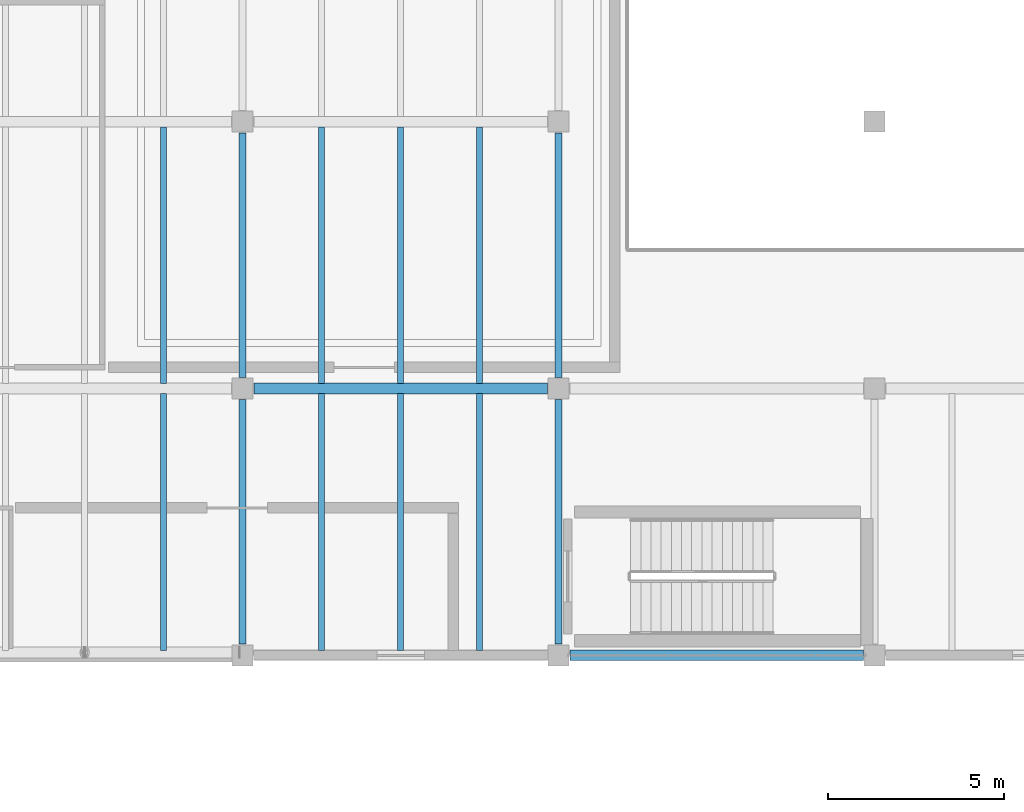
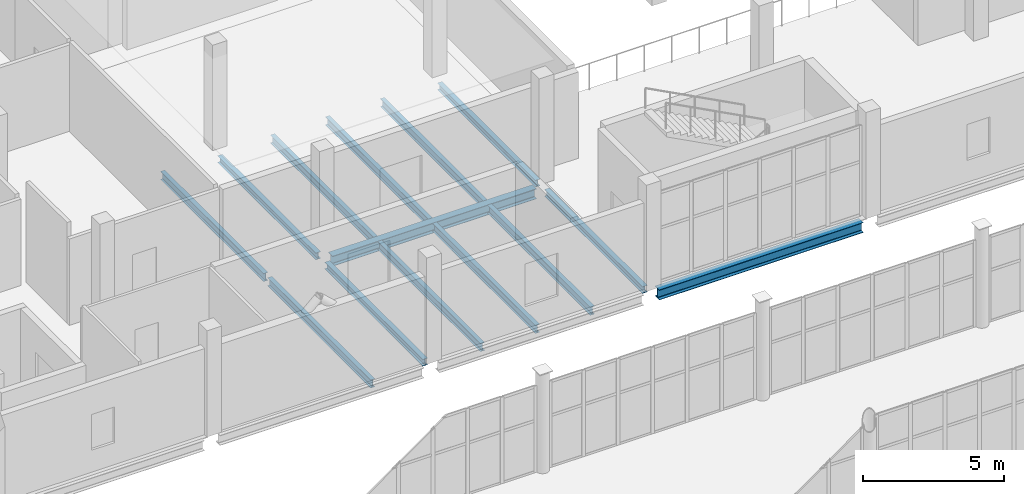
# One storey, part 90 of 136: 14 beams.
"""IFC4 building model written with IfcOpenShell, lengths in metres."""

import ifcopenshell
import ifcopenshell.guid

model = None  # the IFC model being written
_history = None  # IfcOwnerHistory: only IFC2X3 demands one
_inside = {}  # id of a spatial element -> (the spatial element, [elements in it])
_under = {}  # id of a project, library or spatial element -> (it, [spatial elements below it])
_declared = {}  # id of a project -> (the project, [libraries it declares])
_typed = {}  # id of a type object -> (the type object, [elements of that type])
_made_of = {}  # id of a material, layer set ... -> (it, [elements and type objects made of it])


def new_model(schema):
    """Start an empty IFC model of exactly this schema.

    Asked for "IFC4X3", IfcOpenShell would pick the latest addendum, in which some entities
    have other attributes; the version numbers below select the first issue.
    IFC2X3 requires an IfcOwnerHistory on every rooted entity: one is made here for all.
    """
    global model, _history
    if schema == "IFC4X3":
        model = ifcopenshell.file(schema_version=(4, 3, 0, 0))
    else:
        model = ifcopenshell.file(schema=schema)
    _inside.clear()
    _under.clear()
    _declared.clear()
    _typed.clear()
    _made_of.clear()
    _history = None
    if model.schema == "IFC2X3":
        org = make("IfcOrganization", Name="unknown")
        user = make(
            "IfcPersonAndOrganization",
            ThePerson=make("IfcPerson", FamilyName="unknown"),
            TheOrganization=org,
        )
        app = make(
            "IfcApplication",
            ApplicationDeveloper=org,
            Version="unknown",
            ApplicationFullName="unknown",
            ApplicationIdentifier="unknown",
        )
        _history = make(
            "IfcOwnerHistory",
            OwningUser=user,
            OwningApplication=app,
            ChangeAction="ADDED",
            CreationDate=0,
        )
    return model


def make(cls, **values):
    """One entity of the class cls with the attributes given. An attribute that is None is left unset."""
    return model.create_entity(
        cls, **{name: value for name, value in values.items() if value is not None}
    )


def rooted(cls, **values):
    """An entity with a GlobalId (a new one), such as an element, a storey or a relation."""
    return make(cls, GlobalId=ifcopenshell.guid.new(), OwnerHistory=_history, **values)


def si_unit(unit_type, name, prefix=None):
    """IfcSIUnit, for example si_unit("LENGTHUNIT", "METRE", prefix="MILLI")."""
    return make("IfcSIUnit", UnitType=unit_type, Prefix=prefix, Name=name)


def assignment(units):
    """IfcUnitAssignment: the units of a project."""
    return None if units is None else make("IfcUnitAssignment", Units=units)


def point(xyz):
    """IfcCartesianPoint."""
    return None if xyz is None else make("IfcCartesianPoint", Coordinates=xyz)


def direction(xyz):
    """IfcDirection."""
    return None if xyz is None else make("IfcDirection", DirectionRatios=xyz)


def frame(location, z_axis=None, x_axis=None):
    """IfcAxis2Placement3D, a coordinate frame: its origin and axes. An axis left out is left unset."""
    return make(
        "IfcAxis2Placement3D",
        Location=point(location),
        Axis=direction(z_axis),
        RefDirection=direction(x_axis),
    )


def frame_2d(location, x_axis=None):
    """IfcAxis2Placement2D, a coordinate frame in the plane: its origin and x axis."""
    return make(
        "IfcAxis2Placement2D", Location=point(location), RefDirection=direction(x_axis)
    )


def origin():
    """The frame at (0, 0, 0) with its axes left unset."""
    return frame((0.0, 0.0, 0.0))


def origin_2d():
    """The frame at (0, 0) in the plane with its x axis left unset."""
    return frame_2d((0.0, 0.0))


def place(relative_to, where):
    """IfcLocalPlacement: puts the frame where relative to a parent placement (None: the world)."""
    return make(
        "IfcLocalPlacement", PlacementRelTo=relative_to, RelativePlacement=where
    )


def context(
    kind, dimensions, precision=None, world=None, true_north=None, identifier=None
):
    """IfcGeometricRepresentationContext, for example the 3D "Model" context."""
    return make(
        "IfcGeometricRepresentationContext",
        ContextIdentifier=identifier,
        ContextType=kind,
        CoordinateSpaceDimension=dimensions,
        Precision=precision,
        WorldCoordinateSystem=world,
        TrueNorth=true_north,
    )


def subcontext(parent, identifier, kind, view, scale=None):
    """IfcGeometricRepresentationSubContext, for example "Body" below "Model"."""
    return make(
        "IfcGeometricRepresentationSubContext",
        ContextIdentifier=identifier,
        ContextType=kind,
        ParentContext=parent,
        TargetScale=scale,
        TargetView=view,
    )


def project(units=None, contexts=None):
    """IfcProject with its units and contexts."""
    return rooted(
        "IfcProject",
        Name="project",
        RepresentationContexts=contexts,
        UnitsInContext=assignment(units),
    )


def spatial(cls, under=None, at=None, **own):
    """A site, building, storey or space (cls), placed at a placement, below another one or the project."""
    s = rooted(cls, ObjectPlacement=at, **own)
    if under is not None:
        _under.setdefault(under.id(), (under, []))[1].append(s)
    return s


def profile(cls, at=None, kind="AREA", **sizes):
    """A parametric profile (cls). Its sizes go by their IFC names, for example OverallWidth=200.0."""
    return make(cls, ProfileType=kind, Position=at, **sizes)


def i_section(**sizes):
    """IfcIShapeProfileDef."""
    return profile("IfcIShapeProfileDef", **sizes)


def extrude(swept, where, along, depth):
    """IfcExtrudedAreaSolid: the profile swept, set in the frame where, extruded along a direction by depth."""
    return make(
        "IfcExtrudedAreaSolid",
        SweptArea=swept,
        Position=where,
        ExtrudedDirection=direction(along),
        Depth=depth,
    )


def shape(context_of_items, identifier, shape_type, items):
    """IfcShapeRepresentation: the items that make up one representation, for example the "Body"."""
    return make(
        "IfcShapeRepresentation",
        ContextOfItems=context_of_items,
        RepresentationIdentifier=identifier,
        RepresentationType=shape_type,
        Items=items,
    )


def material(Name=None, Category=None):
    """IfcMaterial."""
    return make("IfcMaterial", Name=Name, Category=Category)


def material_profile(
    of_material, cross_section, Name=None, Category=None, Priority=None
):
    """IfcMaterialProfile: a cross section and its material."""
    return make(
        "IfcMaterialProfile",
        Name=Name,
        Material=of_material,
        Profile=cross_section,
        Priority=Priority,
        Category=Category,
    )


def profile_set(profiles, Name=None, composite=None):
    """IfcMaterialProfileSet."""
    return make(
        "IfcMaterialProfileSet",
        Name=Name,
        MaterialProfiles=profiles,
        CompositeProfile=composite,
    )


def made_of(thing, what):
    """Note that an element or type object is made of a material, layer set ...; save() writes the relation."""
    if what is not None:
        _made_of.setdefault(what.id(), (what, []))[1].append(thing)
    return thing


def type_object(cls, material=None, **own):
    """A type object (cls), such as IfcWallType, which elements share."""
    return made_of(rooted(cls, **own), material)


def element(
    cls,
    number,
    at=None,
    inside=None,
    cuts=None,
    type_object=None,
    material=None,
    context=None,
    identifier="Body",
    shape_type=None,
    held_by="IfcProductDefinitionShape",
    body=None,
    shapes=None,
    **own,
):
    """One element of the class cls, such as IfcWall. Its Tag is "e" and its number.

    at: its placement. inside: the storey or other place that contains it. cuts: it is an
    opening in that element (IfcRelVoidsElement). A single representation is given by context,
    identifier, shape_type and body (its items); several are given by shapes. held_by: the class
    of the entity that holds the representations. save() writes the other relations.
    """
    e = rooted(cls, Tag="e%d" % number, ObjectPlacement=at, **own)
    if body is not None:
        shapes = [shape(context, identifier, shape_type, body)]
    if shapes is not None:
        e.Representation = make(held_by, Representations=shapes)
    if inside is not None:
        _inside.setdefault(inside.id(), (inside, []))[1].append(e)
    if cuts is not None:
        rooted(
            "IfcRelVoidsElement", RelatingBuildingElement=cuts, RelatedOpeningElement=e
        )
    if type_object is not None:
        _typed.setdefault(type_object.id(), (type_object, []))[1].append(e)
    return made_of(e, material)


def aggregate(whole, parts):
    """IfcRelAggregates: a whole, such as a stair, and the parts it consists of."""
    return rooted("IfcRelAggregates", RelatingObject=whole, RelatedObjects=parts)


def save(model, path):
    """Write the relations noted so far, then the file.

    IfcRelAggregates (storeys below a building ...), IfcRelContainedInSpatialStructure (elements
    in a storey), IfcRelDefinesByType, IfcRelAssociatesMaterial and IfcRelDeclares: one each for
    every whole, place, type object, material and project.
    """
    for whole, parts in _under.values():
        aggregate(whole, parts)
    for where, things in _inside.values():
        rooted(
            "IfcRelContainedInSpatialStructure",
            RelatedElements=things,
            RelatingStructure=where,
        )
    for kind, things in _typed.values():
        rooted("IfcRelDefinesByType", RelatedObjects=things, RelatingType=kind)
    for what, things in _made_of.values():
        rooted("IfcRelAssociatesMaterial", RelatedObjects=things, RelatingMaterial=what)
    for by, libraries in _declared.values():
        rooted("IfcRelDeclares", RelatingContext=by, RelatedDefinitions=libraries)
    model.write(path)


model = new_model("IFC4")

# Units and contexts
model_context = context("Model", 3, precision=1e-05, world=origin(), true_north=direction((0.0, 1.0)))
body_context = subcontext(model_context, "Body", "Model", "MODEL_VIEW")
ifc_project = project(units=[si_unit("LENGTHUNIT", "METRE"), si_unit("AREAUNIT", "SQUARE_METRE"), si_unit("VOLUMEUNIT", "CUBIC_METRE"), si_unit("PLANEANGLEUNIT", "RADIAN"), si_unit("MASSUNIT", "GRAM", prefix="KILO")], contexts=[model_context])

# Site, building, storey
site_placement = place(None, origin())
site = spatial("IfcSite", under=ifc_project, at=site_placement, CompositionType="ELEMENT")
building_placement = place(site_placement, origin())
building = spatial("IfcBuilding", under=site, at=building_placement, Name="Shengluoqiao Park Theatre", CompositionType="ELEMENT")
storey_placement = place(building_placement, frame((0.0, 0.0, 10.0)))
storey = spatial("IfcBuildingStorey", under=building, at=storey_placement, Name="L02", CompositionType="ELEMENT", Elevation=10.0)

# Beams
ifc_material = material(Name="Steel Q355", Category="steel")
ifc_material_profile_1 = material_profile(ifc_material, i_section(OverallWidth=0.199951171875, OverallDepth=0.2939453125, WebThickness=0.008056640625, FlangeThickness=0.011962890625, FilletRadius=0.01611328125, at=origin_2d()), Name="HM 294x200x8x12")
ifc_profile_set_1 = profile_set([ifc_material_profile_1], Name="Steel Q355")
beam_type_1 = type_object("IfcBeamType", Name="STR-BM-G-HM294", PredefinedType="BEAM", material=ifc_profile_set_1)
beam_1_placement = place(storey_placement, frame((130.39990234375, 84.319091796875, -0.386962890625), z_axis=(0.0, 1.0, 0.0), x_axis=(-1.0, 0.0, 0.0)))
element("IfcBeam", 1, at=beam_1_placement, inside=storey, type_object=beam_type_1, Name="L02 Transverse Girder 01072", PredefinedType="BEAM", context=body_context, shape_type="SweptSolid", body=[
    extrude(i_section(OverallWidth=0.199951171875, OverallDepth=0.2939453125, WebThickness=0.008056640625, FlangeThickness=0.011962890625, FilletRadius=0.01611328125, at=origin_2d()), origin(), (0.0, 0.0, 1.0), 6.9619140625),
])
beam_2_placement = place(storey_placement, frame((130.39990234375, 91.9189453125, -0.386962890625), z_axis=(0.0, 1.0, 0.0), x_axis=(-1.0, 0.0, 0.0)))
element("IfcBeam", 2, at=beam_2_placement, inside=storey, type_object=beam_type_1, Name="L02 Transverse Girder 01073", PredefinedType="BEAM", context=body_context, shape_type="SweptSolid", body=[
    extrude(i_section(OverallWidth=0.199951171875, OverallDepth=0.2939453125, WebThickness=0.008056640625, FlangeThickness=0.011962890625, FilletRadius=0.01611328125, at=origin_2d()), origin(), (0.0, 0.0, 1.0), 6.962158203125),
])
beam_3_placement = place(storey_placement, frame((139.39990234375, 84.319091796875, -0.386962890625), z_axis=(0.0, 1.0, 0.0), x_axis=(-1.0, 0.0, 0.0)))
element("IfcBeam", 3, at=beam_3_placement, inside=storey, type_object=beam_type_1, Name="L02 Transverse Girder 01076", PredefinedType="BEAM", context=body_context, shape_type="SweptSolid", body=[
    extrude(i_section(OverallWidth=0.199951171875, OverallDepth=0.2939453125, WebThickness=0.008056640625, FlangeThickness=0.011962890625, FilletRadius=0.01611328125, at=origin_2d()), origin(), (0.0, 0.0, 1.0), 6.9619140625),
])
beam_4_placement = place(storey_placement, frame((139.39990234375, 91.9189453125, -0.386962890625), z_axis=(0.0, 1.0, 0.0), x_axis=(-1.0, 0.0, 0.0)))
element("IfcBeam", 4, at=beam_4_placement, inside=storey, type_object=beam_type_1, Name="L02 Transverse Girder 01077", PredefinedType="BEAM", context=body_context, shape_type="SweptSolid", body=[
    extrude(i_section(OverallWidth=0.199951171875, OverallDepth=0.2939453125, WebThickness=0.008056640625, FlangeThickness=0.011962890625, FilletRadius=0.01611328125, at=origin_2d()), origin(), (0.0, 0.0, 1.0), 6.962158203125),
])
ifc_material_profile_2 = material_profile(ifc_material, i_section(OverallWidth=0.300048828125, OverallDepth=0.43994140625, WebThickness=0.010986328125, FlangeThickness=0.01806640625, FilletRadius=0.02001953125, at=origin_2d()), Name="HM 440x300x11x18")
ifc_profile_set_2 = profile_set([ifc_material_profile_2], Name="Steel Q355")
beam_type_2 = type_object("IfcBeamType", Name="STR-BM-G-HM440", PredefinedType="BEAM", material=ifc_profile_set_2)
for number, where, z_axis, x_axis, name in (
    (5, (130.718994140625, 91.60009765625, -0.4599609375), (1.0, 0.0, 0.0), (0.0, 1.0, 0.0), "L02 Primary Girder 01058"),
    (6, (139.718994140625, 84.0, -0.4599609375), (1.0, 0.0, 0.0), (0.0, 1.0, 0.0), "L02 Primary Girder 01110"),
):
    element("IfcBeam", number, at=place(storey_placement, frame(where, z_axis=z_axis, x_axis=x_axis)), inside=storey, type_object=beam_type_2, Name=name, PredefinedType="BEAM", context=body_context, shape_type="SweptSolid", body=[
        extrude(i_section(OverallWidth=0.300048828125, OverallDepth=0.43994140625, WebThickness=0.010986328125, FlangeThickness=0.01806640625, FilletRadius=0.02001953125, at=origin_2d()), origin(), (0.0, 0.0, 1.0), 8.362060546875),
    ])
ifc_material_profile_3 = material_profile(ifc_material, i_section(OverallWidth=0.175048828125, OverallDepth=0.35009765625, WebThickness=0.007080078125, FlangeThickness=0.010986328125, FilletRadius=0.013916015625, at=origin_2d()), Name="HN 350x175x7x11")
ifc_profile_set_3 = profile_set([ifc_material_profile_3], Name="Steel Q355")
beam_type_3 = type_object("IfcBeamType", Name="STR-BM-J-HN350", PredefinedType="JOIST", material=ifc_profile_set_3)
beam_5_placement = place(storey_placement, frame((128.14990234375, 84.14501953125, -0.4150390625), z_axis=(0.0, 1.0, 0.0), x_axis=(-1.0, 0.0, 0.0)))
element("IfcBeam", 7, at=beam_5_placement, inside=storey, type_object=beam_type_3, Name="L02 Composite Joist 01092", PredefinedType="JOIST", context=body_context, shape_type="SweptSolid", body=[
    extrude(i_section(OverallWidth=0.175048828125, OverallDepth=0.35009765625, WebThickness=0.007080078125, FlangeThickness=0.010986328125, FilletRadius=0.013916015625, at=origin_2d()), origin(), (0.0, 0.0, 1.0), 7.31005859375),
])
beam_6_placement = place(storey_placement, frame((128.14990234375, 91.7451171875, -0.4150390625), z_axis=(0.0, 1.0, 0.0), x_axis=(-1.0, 0.0, 0.0)))
element("IfcBeam", 8, at=beam_6_placement, inside=storey, type_object=beam_type_3, Name="L02 Composite Joist 01095", PredefinedType="JOIST", context=body_context, shape_type="SweptSolid", body=[
    extrude(i_section(OverallWidth=0.175048828125, OverallDepth=0.35009765625, WebThickness=0.007080078125, FlangeThickness=0.010986328125, FilletRadius=0.013916015625, at=origin_2d()), origin(), (0.0, 0.0, 1.0), 7.309814453125),
])
for number, where, z_axis, x_axis, name in (
    (9, (132.64990234375, 84.14501953125, -0.4150390625), (0.0, 1.0, 0.0), (-1.0, 0.0, 0.0), "L02 Composite Joist 01101"),
    (10, (134.89990234375, 84.14501953125, -0.4150390625), (0.0, 1.0, 0.0), (-1.0, 0.0, 0.0), "L02 Composite Joist 01102"),
    (11, (137.14990234375, 84.14501953125, -0.4150390625), (0.0, 1.0, 0.0), (-1.0, 0.0, 0.0), "L02 Composite Joist 01103"),
):
    element("IfcBeam", number, at=place(storey_placement, frame(where, z_axis=z_axis, x_axis=x_axis)), inside=storey, type_object=beam_type_3, Name=name, PredefinedType="JOIST", context=body_context, shape_type="SweptSolid", body=[
        extrude(i_section(OverallWidth=0.175048828125, OverallDepth=0.35009765625, WebThickness=0.007080078125, FlangeThickness=0.010986328125, FilletRadius=0.013916015625, at=origin_2d()), origin(), (0.0, 0.0, 1.0), 7.31005859375),
    ])
for number, where, z_axis, x_axis, name in (
    (12, (132.64990234375, 91.7451171875, -0.4150390625), (0.0, 1.0, 0.0), (-1.0, 0.0, 0.0), "L02 Composite Joist 01104"),
    (13, (134.89990234375, 91.7451171875, -0.4150390625), (0.0, 1.0, 0.0), (-1.0, 0.0, 0.0), "L02 Composite Joist 01105"),
    (14, (137.14990234375, 91.7451171875, -0.4150390625), (0.0, 1.0, 0.0), (-1.0, 0.0, 0.0), "L02 Composite Joist 01106"),
):
    element("IfcBeam", number, at=place(storey_placement, frame(where, z_axis=z_axis, x_axis=x_axis)), inside=storey, type_object=beam_type_3, Name=name, PredefinedType="JOIST", context=body_context, shape_type="SweptSolid", body=[
        extrude(i_section(OverallWidth=0.175048828125, OverallDepth=0.35009765625, WebThickness=0.007080078125, FlangeThickness=0.010986328125, FilletRadius=0.013916015625, at=origin_2d()), origin(), (0.0, 0.0, 1.0), 7.309814453125),
    ])

save(model, "model.ifc")
